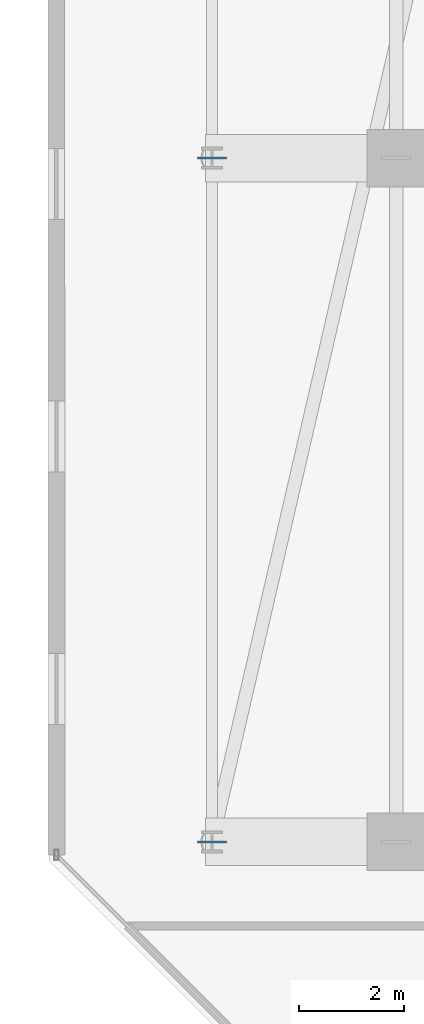
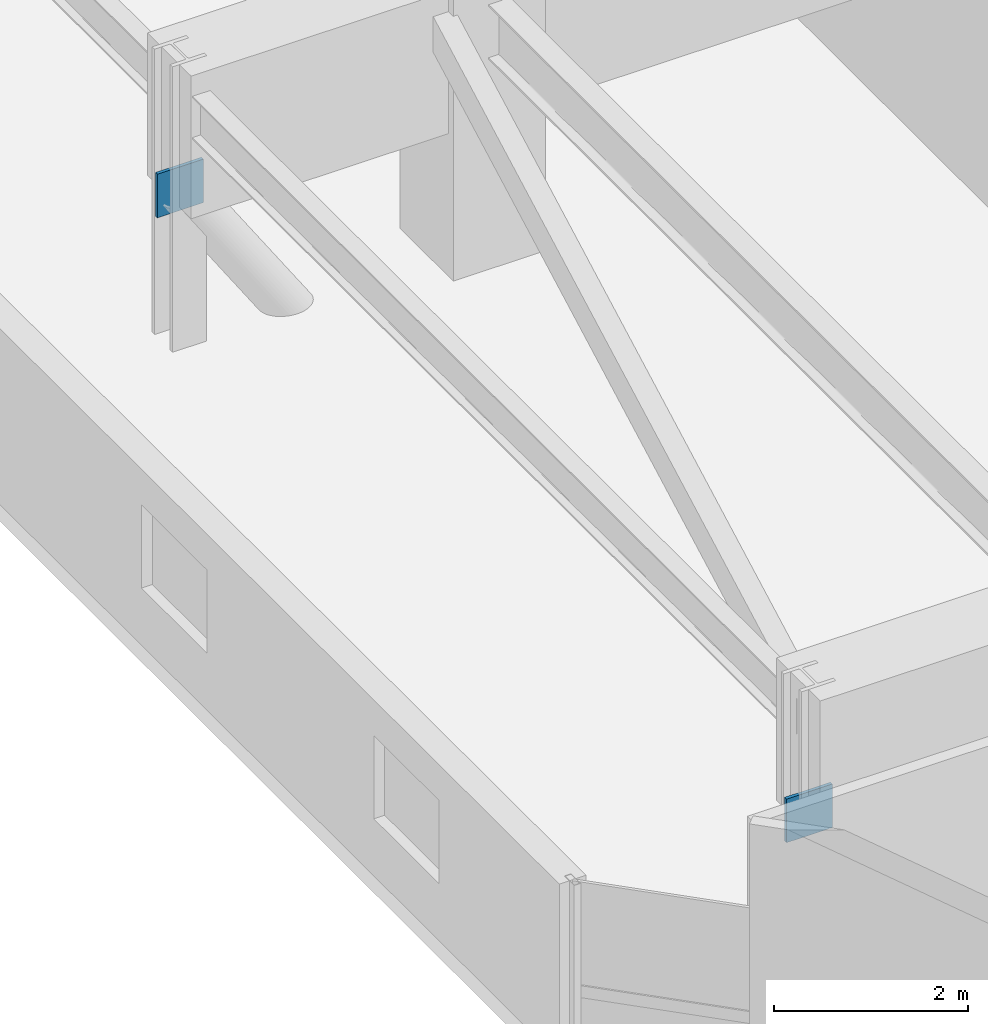
# One storey, part 19 of 36: 2 plates.
"""IFC4 building model written with IfcOpenShell, lengths in metres."""

from ifc_helpers import new_model, si_unit, direction, frame, origin, origin_2d, place, context, subcontext, project, spatial, rectangle, extrude, material, layer, layer_set, type_object, element, save


model = new_model("IFC4")

# Units and contexts
model_context = context("Model", 3, precision=1e-05, world=origin(), true_north=direction((0.0, 1.0)))
body_context = subcontext(model_context, "Body", "Model", "MODEL_VIEW")
ifc_project = project(units=[si_unit("LENGTHUNIT", "METRE"), si_unit("AREAUNIT", "SQUARE_METRE"), si_unit("VOLUMEUNIT", "CUBIC_METRE"), si_unit("PLANEANGLEUNIT", "RADIAN"), si_unit("MASSUNIT", "GRAM", prefix="KILO")], contexts=[model_context])

# Site, building, storey
site_placement = place(None, origin())
site = spatial("IfcSite", under=ifc_project, at=site_placement, CompositionType="ELEMENT")
building_placement = place(site_placement, origin())
building = spatial("IfcBuilding", under=site, at=building_placement, Name="Thornwick Lancets Civic Towers", CompositionType="ELEMENT")
storey_placement = place(building_placement, frame((0.0, 0.0, 196.5)))
storey = spatial("IfcBuildingStorey", under=building, at=storey_placement, Name="L52", CompositionType="ELEMENT", Elevation=196.5)

# Plates
ifc_material = material(Name="Steel S460M", Category="steel")
ifc_layer = layer(ifc_material, 0.0400390625, Name="Steel S460M")
ifc_layer_set = layer_set([ifc_layer], Name="Steel S460M")
plate_type = type_object("IfcPlateType", Name="PLT_GUSSET_40", PredefinedType="USERDEFINED", material=ifc_layer_set)
for number, where, z_axis, x_axis, name in (
    (1, (67.699951171875, 14.0, 1.60498046875), (0.0, 0.0, 1.0), (-1.0, 0.0, 0.0), "L52 Brace Connection Gusset Plate 0300"),
    (2, (67.699951171875, 27.0, 1.60498046875), (0.0, 0.0, 1.0), (-1.0, 0.0, 0.0), "L52 Brace Connection Gusset Plate 0302"),
):
    element("IfcPlate", number, at=place(storey_placement, frame(where, z_axis=z_axis, x_axis=x_axis)), inside=storey, type_object=plate_type, Name=name, ObjectType="GUSSET_PLATE", PredefinedType="USERDEFINED", context=body_context, shape_type="SweptSolid", body=[
        extrude(rectangle(XDim=0.550048828125, YDim=0.0400390625, at=origin_2d()), origin(), (0.0, 0.0, 1.0), 0.550048828125),
    ])

save(model, "model.ifc")
